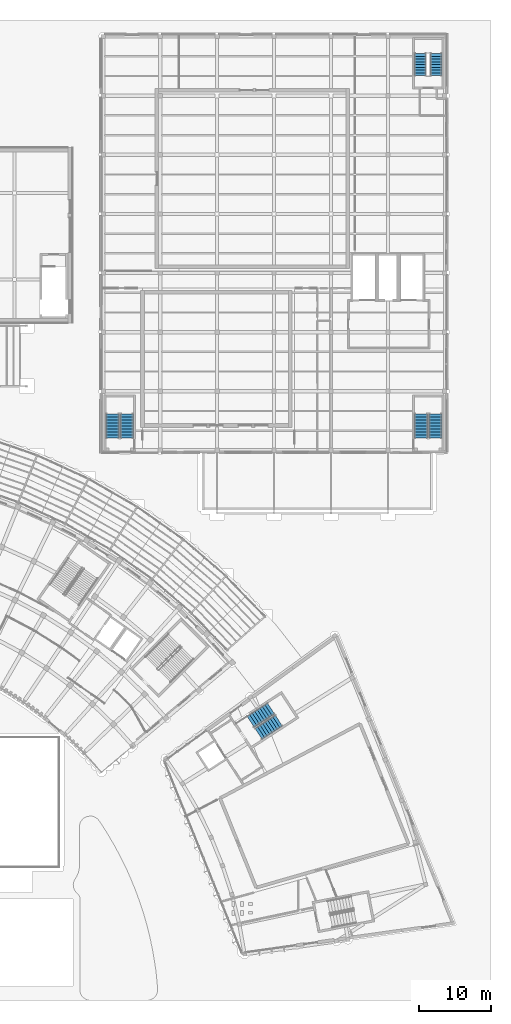
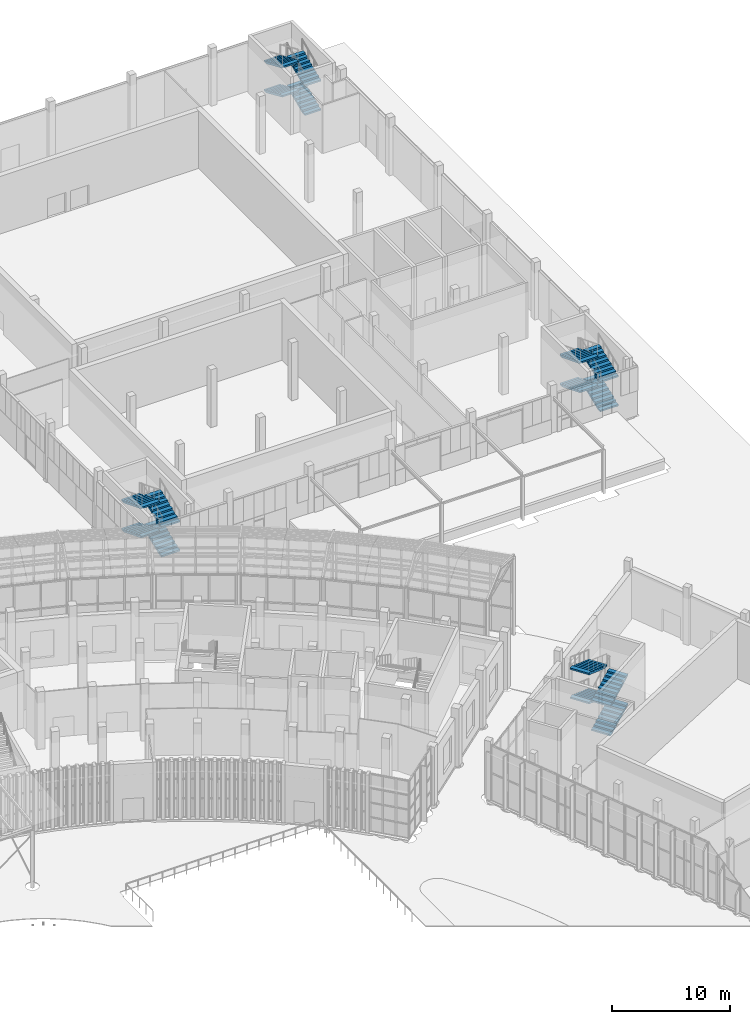
# One storey, part 107 of 155: 16 stair flights, 4 elements without a shape of their own.
"""IFC4 building model written with IfcOpenShell, lengths in metres."""

from ifc_helpers import new_model, si_unit, direction, frame, origin, place, context, subcontext, project, spatial, polyline, outline, extrude, material, type_object, element, aggregate, save


model = new_model("IFC4")

# Units and contexts
model_context = context("Model", 3, precision=1e-05, world=origin(), true_north=direction((0.0, 1.0)))
body_context = subcontext(model_context, "Body", "Model", "MODEL_VIEW")
ifc_project = project(units=[si_unit("LENGTHUNIT", "METRE"), si_unit("AREAUNIT", "SQUARE_METRE"), si_unit("VOLUMEUNIT", "CUBIC_METRE"), si_unit("PLANEANGLEUNIT", "RADIAN"), si_unit("MASSUNIT", "GRAM", prefix="KILO")], contexts=[model_context])

# Site, building, storey
site_placement = place(None, origin())
site = spatial("IfcSite", under=ifc_project, at=site_placement, CompositionType="ELEMENT")
building_placement = place(site_placement, origin())
building = spatial("IfcBuilding", under=site, at=building_placement, Name="Lunette Opera House", CompositionType="ELEMENT")
storey_placement = place(building_placement, origin())
storey = spatial("IfcBuildingStorey", under=building, at=storey_placement, Name="L00", CompositionType="ELEMENT", Elevation=0.0)

# Stair, stair flights
ifc_material_1 = material(Name="Concrete C35/45", Category="concrete")
stair_type_1 = type_object("IfcStairType", Name="DOGLEG STAIR 1600", PredefinedType="HALF_TURN_STAIR", material=ifc_material_1)
stair_1_placement = place(storey_placement, origin())
stair_1 = element("IfcStair", 1, at=stair_1_placement, inside=storey, type_object=stair_type_1, Name="L00 stair ST19", PredefinedType="HALF_TURN_STAIR")
ifc_material_2 = material(Name="Concrete C35/45", Category="concrete")
stair_flight_type_1 = type_object("IfcStairFlightType", Name="STRAIGHT STAIR FLIGHT 1600", PredefinedType="STRAIGHT", material=ifc_material_2)
stair_flight_1_placement = place(storey_placement, frame((182.5, 130.300048828125, 0.0), z_axis=(0.0, 0.0, 1.0), x_axis=(0.0, 1.0, 0.0)))
stair_flight_1 = element("IfcStairFlight", 2, at=stair_flight_1_placement, type_object=stair_flight_type_1, Name="ST19 flight 1", NumberOfRisers=9, NumberOfTreads=8, PredefinedType="STRAIGHT", RiserHeight=0.166666667, TreadLength=0.38, context=body_context, shape_type="SweptSolid", body=[
    extrude(outline(polyline([(0.0, 0.0), (0.0, 0.166748046875), (0.3798828125, 0.166748046875), (0.3798828125, 0.333251953125), (0.760009765625, 0.333251953125), (0.760009765625, 0.5), (1.139892578125, 0.5), (1.139892578125, 0.666748046875), (1.52001953125, 0.666748046875), (1.52001953125, 0.833251953125), (1.89990234375, 0.833251953125), (1.89990234375, 1.0), (2.280029296875, 1.0), (2.280029296875, 1.166748046875), (2.659912109375, 1.166748046875), (2.659912109375, 1.333251953125), (3.0400390625, 1.333251953125), (3.0400390625, 1.5), (3.0400390625, 1.169677734375), (0.373291015625, 0.0), (0.0, 0.0)])), frame((0.0, 0.800048828125, 0.0), z_axis=(0.0, -1.0, 0.0), x_axis=(1.0, 0.0, 0.0)), (0.0, 0.0, 1.0), 1.60009765625),
])
stair_flight_2_placement = place(storey_placement, frame((180.300048828125, 133.340087890625, 1.5), z_axis=(0.0, 0.0, 1.0), x_axis=(0.0, -1.0, 0.0)))
stair_flight_2 = element("IfcStairFlight", 3, at=stair_flight_2_placement, type_object=stair_flight_type_1, Name="ST19 flight 2", NumberOfRisers=9, NumberOfTreads=8, PredefinedType="STRAIGHT", RiserHeight=0.166666667, TreadLength=0.38, context=body_context, shape_type="SweptSolid", body=[
    extrude(outline(polyline([(0.0, 0.0), (0.0, 0.166748046875), (0.3798828125, 0.166748046875), (0.3798828125, 0.333251953125), (0.760009765625, 0.333251953125), (0.760009765625, 0.5), (1.139892578125, 0.5), (1.139892578125, 0.666748046875), (1.52001953125, 0.666748046875), (1.52001953125, 0.833251953125), (1.89990234375, 0.833251953125), (1.89990234375, 1.0), (2.280029296875, 1.0), (2.280029296875, 1.166748046875), (2.659912109375, 1.166748046875), (2.659912109375, 1.333251953125), (3.0400390625, 1.333251953125), (3.0400390625, 1.5), (3.0400390625, 1.169677734375), (0.373291015625, 0.0), (0.0, 0.0)])), frame((0.0, 0.800048828125, 0.0), z_axis=(0.0, -1.0, 0.0), x_axis=(1.0, 0.0, 0.0)), (0.0, 0.0, 1.0), 1.60009765625),
])
stair_flight_3_placement = place(storey_placement, frame((182.5, 130.300048828125, 3.0), z_axis=(0.0, 0.0, 1.0), x_axis=(0.0, 1.0, 0.0)))
stair_flight_3 = element("IfcStairFlight", 4, at=stair_flight_3_placement, type_object=stair_flight_type_1, Name="ST19 flight 3", NumberOfRisers=9, NumberOfTreads=8, PredefinedType="STRAIGHT", RiserHeight=0.166666667, TreadLength=0.38, context=body_context, shape_type="SweptSolid", body=[
    extrude(outline(polyline([(0.0, 0.0), (0.0, 0.166748046875), (0.3798828125, 0.166748046875), (0.3798828125, 0.333251953125), (0.760009765625, 0.333251953125), (0.760009765625, 0.5), (1.139892578125, 0.5), (1.139892578125, 0.666748046875), (1.52001953125, 0.666748046875), (1.52001953125, 0.833251953125), (1.89990234375, 0.833251953125), (1.89990234375, 1.0), (2.280029296875, 1.0), (2.280029296875, 1.166748046875), (2.659912109375, 1.166748046875), (2.659912109375, 1.333251953125), (3.0400390625, 1.333251953125), (3.0400390625, 1.5), (3.0400390625, 1.169677734375), (0.373291015625, 0.0), (0.0, 0.0)])), frame((0.0, 0.800048828125, 0.0), z_axis=(0.0, -1.0, 0.0), x_axis=(1.0, 0.0, 0.0)), (0.0, 0.0, 1.0), 1.60009765625),
])
stair_flight_4_placement = place(storey_placement, frame((180.300048828125, 133.340087890625, 4.5), z_axis=(0.0, 0.0, 1.0), x_axis=(0.0, -1.0, 0.0)))
stair_flight_4 = element("IfcStairFlight", 5, at=stair_flight_4_placement, type_object=stair_flight_type_1, Name="ST19 flight 4", NumberOfRisers=9, NumberOfTreads=8, PredefinedType="STRAIGHT", RiserHeight=0.166666667, TreadLength=0.38, context=body_context, shape_type="SweptSolid", body=[
    extrude(outline(polyline([(0.0, 0.0), (0.0, 0.166748046875), (0.3798828125, 0.166748046875), (0.3798828125, 0.333251953125), (0.760009765625, 0.333251953125), (0.760009765625, 0.5), (1.139892578125, 0.5), (1.139892578125, 0.666748046875), (1.52001953125, 0.666748046875), (1.52001953125, 0.833251953125), (1.89990234375, 0.833251953125), (1.89990234375, 1.0), (2.280029296875, 1.0), (2.280029296875, 1.166748046875), (2.659912109375, 1.166748046875), (2.659912109375, 1.333251953125), (3.0400390625, 1.333251953125), (3.0400390625, 1.5), (3.0400390625, 1.169677734375), (0.373291015625, 0.0), (0.0, 0.0)])), frame((0.0, 0.800048828125, 0.0), z_axis=(0.0, -1.0, 0.0), x_axis=(1.0, 0.0, 0.0)), (0.0, 0.0, 1.0), 1.60009765625),
])
aggregate(stair_1, [stair_flight_1, stair_flight_2, stair_flight_3, stair_flight_4])

ifc_material_3 = material(Name="Concrete C35/45", Category="concrete")
stair_type_2 = type_object("IfcStairType", Name="DOGLEG STAIR 1800", PredefinedType="HALF_TURN_STAIR", material=ifc_material_3)
stair_2_placement = place(storey_placement, origin())
stair_2 = element("IfcStair", 6, at=stair_2_placement, inside=storey, type_object=stair_type_2, Name="L00 stair ST18", PredefinedType="HALF_TURN_STAIR")
ifc_material_4 = material(Name="Concrete C35/45", Category="concrete")
stair_flight_type_2 = type_object("IfcStairFlightType", Name="STRAIGHT STAIR FLIGHT 1800", PredefinedType="STRAIGHT", material=ifc_material_4)
stair_flight_5_placement = place(storey_placement, frame((139.60009765625, 80.0, 0.0), z_axis=(0.0, 0.0, 1.0), x_axis=(0.0, 1.0, 0.0)))
stair_flight_5 = element("IfcStairFlight", 7, at=stair_flight_5_placement, type_object=stair_flight_type_2, Name="ST18 flight 1", NumberOfRisers=9, NumberOfTreads=8, PredefinedType="STRAIGHT", RiserHeight=0.166666667, TreadLength=0.42, context=body_context, shape_type="SweptSolid", body=[
    extrude(outline(polyline([(0.0, 0.0), (0.0, 0.166748046875), (0.419921875, 0.166748046875), (0.419921875, 0.333251953125), (0.840087890625, 0.333251953125), (0.840087890625, 0.5), (1.260009765625, 0.5), (1.260009765625, 0.666748046875), (1.679931640625, 0.666748046875), (1.679931640625, 0.833251953125), (2.10009765625, 0.833251953125), (2.10009765625, 1.0), (2.52001953125, 1.0), (2.52001953125, 1.166748046875), (2.93994140625, 1.166748046875), (2.93994140625, 1.333251953125), (3.360107421875, 1.333251953125), (3.360107421875, 1.5), (3.360107421875, 1.172119140625), (0.406494140625, 0.0), (0.0, 0.0)])), frame((0.0, 0.89990234375, 0.0), z_axis=(0.0, -1.0, 0.0), x_axis=(1.0, 0.0, 0.0)), (0.0, 0.0, 1.0), 1.800048828125),
])
stair_flight_6_placement = place(storey_placement, frame((137.60009765625, 83.360107421875, 1.5), z_axis=(0.0, 0.0, 1.0), x_axis=(0.0, -1.0, 0.0)))
stair_flight_6 = element("IfcStairFlight", 8, at=stair_flight_6_placement, type_object=stair_flight_type_2, Name="ST18 flight 2", NumberOfRisers=9, NumberOfTreads=8, PredefinedType="STRAIGHT", RiserHeight=0.166666667, TreadLength=0.42, context=body_context, shape_type="SweptSolid", body=[
    extrude(outline(polyline([(0.0, 0.0), (0.0, 0.166748046875), (0.419921875, 0.166748046875), (0.419921875, 0.333251953125), (0.840087890625, 0.333251953125), (0.840087890625, 0.5), (1.260009765625, 0.5), (1.260009765625, 0.666748046875), (1.679931640625, 0.666748046875), (1.679931640625, 0.833251953125), (2.10009765625, 0.833251953125), (2.10009765625, 1.0), (2.52001953125, 1.0), (2.52001953125, 1.166748046875), (2.93994140625, 1.166748046875), (2.93994140625, 1.333251953125), (3.360107421875, 1.333251953125), (3.360107421875, 1.5), (3.360107421875, 1.172119140625), (0.406494140625, 0.0), (0.0, 0.0)])), frame((0.0, 0.89990234375, 0.0), z_axis=(0.0, -1.0, 0.0), x_axis=(1.0, 0.0, 0.0)), (0.0, 0.0, 1.0), 1.800048828125),
])
stair_flight_7_placement = place(storey_placement, frame((139.60009765625, 80.0, 3.0), z_axis=(0.0, 0.0, 1.0), x_axis=(0.0, 1.0, 0.0)))
stair_flight_7 = element("IfcStairFlight", 9, at=stair_flight_7_placement, type_object=stair_flight_type_2, Name="ST18 flight 3", NumberOfRisers=9, NumberOfTreads=8, PredefinedType="STRAIGHT", RiserHeight=0.166666667, TreadLength=0.42, context=body_context, shape_type="SweptSolid", body=[
    extrude(outline(polyline([(0.0, 0.0), (0.0, 0.166748046875), (0.419921875, 0.166748046875), (0.419921875, 0.333251953125), (0.840087890625, 0.333251953125), (0.840087890625, 0.5), (1.260009765625, 0.5), (1.260009765625, 0.666748046875), (1.679931640625, 0.666748046875), (1.679931640625, 0.833251953125), (2.10009765625, 0.833251953125), (2.10009765625, 1.0), (2.52001953125, 1.0), (2.52001953125, 1.166748046875), (2.93994140625, 1.166748046875), (2.93994140625, 1.333251953125), (3.360107421875, 1.333251953125), (3.360107421875, 1.5), (3.360107421875, 1.172119140625), (0.406494140625, 0.0), (0.0, 0.0)])), frame((0.0, 0.89990234375, 0.0), z_axis=(0.0, -1.0, 0.0), x_axis=(1.0, 0.0, 0.0)), (0.0, 0.0, 1.0), 1.800048828125),
])
stair_flight_8_placement = place(storey_placement, frame((137.60009765625, 83.360107421875, 4.5), z_axis=(0.0, 0.0, 1.0), x_axis=(0.0, -1.0, 0.0)))
stair_flight_8 = element("IfcStairFlight", 10, at=stair_flight_8_placement, type_object=stair_flight_type_2, Name="ST18 flight 4", NumberOfRisers=9, NumberOfTreads=8, PredefinedType="STRAIGHT", RiserHeight=0.166666667, TreadLength=0.42, context=body_context, shape_type="SweptSolid", body=[
    extrude(outline(polyline([(0.0, 0.0), (0.0, 0.166748046875), (0.419921875, 0.166748046875), (0.419921875, 0.333251953125), (0.840087890625, 0.333251953125), (0.840087890625, 0.5), (1.260009765625, 0.5), (1.260009765625, 0.666748046875), (1.679931640625, 0.666748046875), (1.679931640625, 0.833251953125), (2.10009765625, 0.833251953125), (2.10009765625, 1.0), (2.52001953125, 1.0), (2.52001953125, 1.166748046875), (2.93994140625, 1.166748046875), (2.93994140625, 1.333251953125), (3.360107421875, 1.333251953125), (3.360107421875, 1.5), (3.360107421875, 1.172119140625), (0.406494140625, 0.0), (0.0, 0.0)])), frame((0.0, 0.89990234375, 0.0), z_axis=(0.0, -1.0, 0.0), x_axis=(1.0, 0.0, 0.0)), (0.0, 0.0, 1.0), 1.800048828125),
])
aggregate(stair_2, [stair_flight_5, stair_flight_6, stair_flight_7, stair_flight_8])

stair_3_placement = place(storey_placement, origin())
stair_3 = element("IfcStair", 11, at=stair_3_placement, inside=storey, type_object=stair_type_2, Name="L00 stair ST20", PredefinedType="HALF_TURN_STAIR")
stair_flight_9_placement = place(storey_placement, frame((182.39990234375, 80.0, 0.0), z_axis=(0.0, 0.0, 1.0), x_axis=(0.0, 1.0, 0.0)))
stair_flight_9 = element("IfcStairFlight", 12, at=stair_flight_9_placement, type_object=stair_flight_type_2, Name="ST20 flight 1", NumberOfRisers=9, NumberOfTreads=8, PredefinedType="STRAIGHT", RiserHeight=0.166666667, TreadLength=0.42, context=body_context, shape_type="SweptSolid", body=[
    extrude(outline(polyline([(0.0, 0.0), (0.0, 0.166748046875), (0.419921875, 0.166748046875), (0.419921875, 0.333251953125), (0.840087890625, 0.333251953125), (0.840087890625, 0.5), (1.260009765625, 0.5), (1.260009765625, 0.666748046875), (1.679931640625, 0.666748046875), (1.679931640625, 0.833251953125), (2.10009765625, 0.833251953125), (2.10009765625, 1.0), (2.52001953125, 1.0), (2.52001953125, 1.166748046875), (2.93994140625, 1.166748046875), (2.93994140625, 1.333251953125), (3.360107421875, 1.333251953125), (3.360107421875, 1.5), (3.360107421875, 1.172119140625), (0.406494140625, 0.0), (0.0, 0.0)])), frame((0.0, 0.89990234375, 0.0), z_axis=(0.0, -1.0, 0.0), x_axis=(1.0, 0.0, 0.0)), (0.0, 0.0, 1.0), 1.800048828125),
])
stair_flight_10_placement = place(storey_placement, frame((180.39990234375, 83.360107421875, 1.5), z_axis=(0.0, 0.0, 1.0), x_axis=(0.0, -1.0, 0.0)))
stair_flight_10 = element("IfcStairFlight", 13, at=stair_flight_10_placement, type_object=stair_flight_type_2, Name="ST20 flight 2", NumberOfRisers=9, NumberOfTreads=8, PredefinedType="STRAIGHT", RiserHeight=0.166666667, TreadLength=0.42, context=body_context, shape_type="SweptSolid", body=[
    extrude(outline(polyline([(0.0, 0.0), (0.0, 0.166748046875), (0.419921875, 0.166748046875), (0.419921875, 0.333251953125), (0.840087890625, 0.333251953125), (0.840087890625, 0.5), (1.260009765625, 0.5), (1.260009765625, 0.666748046875), (1.679931640625, 0.666748046875), (1.679931640625, 0.833251953125), (2.10009765625, 0.833251953125), (2.10009765625, 1.0), (2.52001953125, 1.0), (2.52001953125, 1.166748046875), (2.93994140625, 1.166748046875), (2.93994140625, 1.333251953125), (3.360107421875, 1.333251953125), (3.360107421875, 1.5), (3.360107421875, 1.172119140625), (0.406494140625, 0.0), (0.0, 0.0)])), frame((0.0, 0.89990234375, 0.0), z_axis=(0.0, -1.0, 0.0), x_axis=(1.0, 0.0, 0.0)), (0.0, 0.0, 1.0), 1.800048828125),
])
stair_flight_11_placement = place(storey_placement, frame((182.39990234375, 80.0, 3.0), z_axis=(0.0, 0.0, 1.0), x_axis=(0.0, 1.0, 0.0)))
stair_flight_11 = element("IfcStairFlight", 14, at=stair_flight_11_placement, type_object=stair_flight_type_2, Name="ST20 flight 3", NumberOfRisers=9, NumberOfTreads=8, PredefinedType="STRAIGHT", RiserHeight=0.166666667, TreadLength=0.42, context=body_context, shape_type="SweptSolid", body=[
    extrude(outline(polyline([(0.0, 0.0), (0.0, 0.166748046875), (0.419921875, 0.166748046875), (0.419921875, 0.333251953125), (0.840087890625, 0.333251953125), (0.840087890625, 0.5), (1.260009765625, 0.5), (1.260009765625, 0.666748046875), (1.679931640625, 0.666748046875), (1.679931640625, 0.833251953125), (2.10009765625, 0.833251953125), (2.10009765625, 1.0), (2.52001953125, 1.0), (2.52001953125, 1.166748046875), (2.93994140625, 1.166748046875), (2.93994140625, 1.333251953125), (3.360107421875, 1.333251953125), (3.360107421875, 1.5), (3.360107421875, 1.172119140625), (0.406494140625, 0.0), (0.0, 0.0)])), frame((0.0, 0.89990234375, 0.0), z_axis=(0.0, -1.0, 0.0), x_axis=(1.0, 0.0, 0.0)), (0.0, 0.0, 1.0), 1.800048828125),
])
stair_flight_12_placement = place(storey_placement, frame((180.39990234375, 83.360107421875, 4.5), z_axis=(0.0, 0.0, 1.0), x_axis=(0.0, -1.0, 0.0)))
stair_flight_12 = element("IfcStairFlight", 15, at=stair_flight_12_placement, type_object=stair_flight_type_2, Name="ST20 flight 4", NumberOfRisers=9, NumberOfTreads=8, PredefinedType="STRAIGHT", RiserHeight=0.166666667, TreadLength=0.42, context=body_context, shape_type="SweptSolid", body=[
    extrude(outline(polyline([(0.0, 0.0), (0.0, 0.166748046875), (0.419921875, 0.166748046875), (0.419921875, 0.333251953125), (0.840087890625, 0.333251953125), (0.840087890625, 0.5), (1.260009765625, 0.5), (1.260009765625, 0.666748046875), (1.679931640625, 0.666748046875), (1.679931640625, 0.833251953125), (2.10009765625, 0.833251953125), (2.10009765625, 1.0), (2.52001953125, 1.0), (2.52001953125, 1.166748046875), (2.93994140625, 1.166748046875), (2.93994140625, 1.333251953125), (3.360107421875, 1.333251953125), (3.360107421875, 1.5), (3.360107421875, 1.172119140625), (0.406494140625, 0.0), (0.0, 0.0)])), frame((0.0, 0.89990234375, 0.0), z_axis=(0.0, -1.0, 0.0), x_axis=(1.0, 0.0, 0.0)), (0.0, 0.0, 1.0), 1.800048828125),
])
aggregate(stair_3, [stair_flight_9, stair_flight_10, stair_flight_11, stair_flight_12])

stair_4_placement = place(storey_placement, origin())
stair_4 = element("IfcStair", 16, at=stair_4_placement, inside=storey, type_object=stair_type_2, Name="L00 stair ST21", PredefinedType="HALF_TURN_STAIR")
stair_flight_13_placement = place(storey_placement, frame((157.851318359375, 38.973876953125, 0.0), z_axis=(0.0, 0.0, 1.0), x_axis=(0.838643447017, 0.544680795306, 0.0)))
stair_flight_13 = element("IfcStairFlight", 17, at=stair_flight_13_placement, type_object=stair_flight_type_2, Name="ST21 flight 1", NumberOfRisers=9, NumberOfTreads=8, PredefinedType="STRAIGHT", RiserHeight=0.166666667, TreadLength=0.42, context=body_context, shape_type="SweptSolid", body=[
    extrude(outline(polyline([(0.0, 0.0), (0.0, 0.166748046875), (0.419921875, 0.166748046875), (0.419921875, 0.333251953125), (0.840087890625, 0.333251953125), (0.840087890625, 0.5), (1.260009765625, 0.5), (1.260009765625, 0.666748046875), (1.679931640625, 0.666748046875), (1.679931640625, 0.833251953125), (2.10009765625, 0.833251953125), (2.10009765625, 1.0), (2.52001953125, 1.0), (2.52001953125, 1.166748046875), (2.93994140625, 1.166748046875), (2.93994140625, 1.333251953125), (3.360107421875, 1.333251953125), (3.360107421875, 1.5), (3.360107421875, 1.172119140625), (0.406494140625, 0.0), (0.0, 0.0)])), frame((0.0, 0.89990234375, 0.0), z_axis=(0.0, -1.0, 0.0), x_axis=(1.0, 0.0, 0.0)), (0.0, 0.0, 1.0), 1.800048828125),
])
stair_flight_14_placement = place(storey_placement, frame((159.579345703125, 42.481689453125, 1.5), z_axis=(0.0, 0.0, 1.0), x_axis=(-0.838643447017, -0.544680795306, 0.0)))
stair_flight_14 = element("IfcStairFlight", 18, at=stair_flight_14_placement, type_object=stair_flight_type_2, Name="ST21 flight 2", NumberOfRisers=9, NumberOfTreads=8, PredefinedType="STRAIGHT", RiserHeight=0.166666667, TreadLength=0.42, context=body_context, shape_type="SweptSolid", body=[
    extrude(outline(polyline([(0.0, 0.0), (0.0, 0.166748046875), (0.419921875, 0.166748046875), (0.419921875, 0.333251953125), (0.840087890625, 0.333251953125), (0.840087890625, 0.5), (1.260009765625, 0.5), (1.260009765625, 0.666748046875), (1.679931640625, 0.666748046875), (1.679931640625, 0.833251953125), (2.10009765625, 0.833251953125), (2.10009765625, 1.0), (2.52001953125, 1.0), (2.52001953125, 1.166748046875), (2.93994140625, 1.166748046875), (2.93994140625, 1.333251953125), (3.360107421875, 1.333251953125), (3.360107421875, 1.5), (3.360107421875, 1.172119140625), (0.406494140625, 0.0), (0.0, 0.0)])), frame((0.0, 0.89990234375, 0.0), z_axis=(0.0, -1.0, 0.0), x_axis=(1.0, 0.0, 0.0)), (0.0, 0.0, 1.0), 1.800048828125),
])
stair_flight_15_placement = place(storey_placement, frame((157.851318359375, 38.973876953125, 3.0), z_axis=(0.0, 0.0, 1.0), x_axis=(0.838643447017, 0.544680795306, 0.0)))
stair_flight_15 = element("IfcStairFlight", 19, at=stair_flight_15_placement, type_object=stair_flight_type_2, Name="ST21 flight 3", NumberOfRisers=9, NumberOfTreads=8, PredefinedType="STRAIGHT", RiserHeight=0.166666667, TreadLength=0.42, context=body_context, shape_type="SweptSolid", body=[
    extrude(outline(polyline([(0.0, 0.0), (0.0, 0.166748046875), (0.419921875, 0.166748046875), (0.419921875, 0.333251953125), (0.840087890625, 0.333251953125), (0.840087890625, 0.5), (1.260009765625, 0.5), (1.260009765625, 0.666748046875), (1.679931640625, 0.666748046875), (1.679931640625, 0.833251953125), (2.10009765625, 0.833251953125), (2.10009765625, 1.0), (2.52001953125, 1.0), (2.52001953125, 1.166748046875), (2.93994140625, 1.166748046875), (2.93994140625, 1.333251953125), (3.360107421875, 1.333251953125), (3.360107421875, 1.5), (3.360107421875, 1.172119140625), (0.406494140625, 0.0), (0.0, 0.0)])), frame((0.0, 0.89990234375, 0.0), z_axis=(0.0, -1.0, 0.0), x_axis=(1.0, 0.0, 0.0)), (0.0, 0.0, 1.0), 1.800048828125),
])
stair_flight_16_placement = place(storey_placement, frame((159.579345703125, 42.481689453125, 4.5), z_axis=(0.0, 0.0, 1.0), x_axis=(-0.838643447017, -0.544680795306, 0.0)))
stair_flight_16 = element("IfcStairFlight", 20, at=stair_flight_16_placement, type_object=stair_flight_type_2, Name="ST21 flight 4", NumberOfRisers=9, NumberOfTreads=8, PredefinedType="STRAIGHT", RiserHeight=0.166666667, TreadLength=0.42, context=body_context, shape_type="SweptSolid", body=[
    extrude(outline(polyline([(0.0, 0.0), (0.0, 0.166748046875), (0.419921875, 0.166748046875), (0.419921875, 0.333251953125), (0.840087890625, 0.333251953125), (0.840087890625, 0.5), (1.260009765625, 0.5), (1.260009765625, 0.666748046875), (1.679931640625, 0.666748046875), (1.679931640625, 0.833251953125), (2.10009765625, 0.833251953125), (2.10009765625, 1.0), (2.52001953125, 1.0), (2.52001953125, 1.166748046875), (2.93994140625, 1.166748046875), (2.93994140625, 1.333251953125), (3.360107421875, 1.333251953125), (3.360107421875, 1.5), (3.360107421875, 1.172119140625), (0.406494140625, 0.0), (0.0, 0.0)])), frame((0.0, 0.89990234375, 0.0), z_axis=(0.0, -1.0, 0.0), x_axis=(1.0, 0.0, 0.0)), (0.0, 0.0, 1.0), 1.800048828125),
])
aggregate(stair_4, [stair_flight_13, stair_flight_14, stair_flight_15, stair_flight_16])

save(model, "model.ifc")
